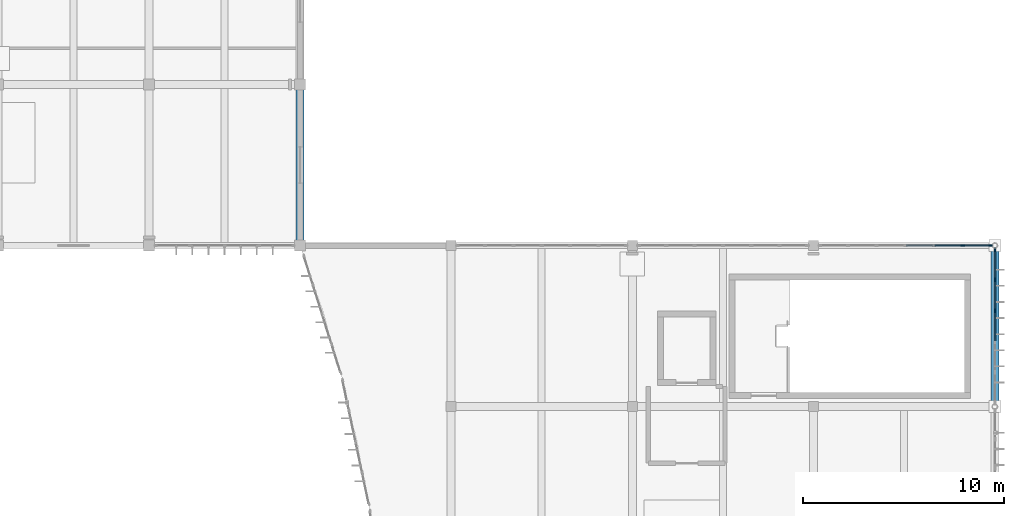
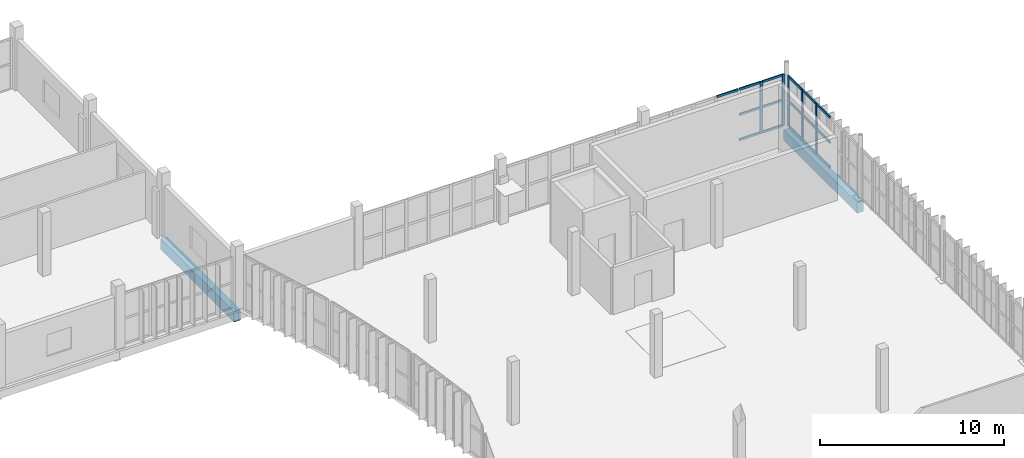
# One storey, part 30 of 61: 21 members, 2 beams, 2 elements without a shape of their own.
"""IFC4 building model written with IfcOpenShell, lengths in metres."""

from ifc_helpers import new_model, si_unit, direction, frame, origin, origin_2d, place, context, subcontext, project, spatial, rectangle, extrude, material, material_profile, profile_set, type_object, element, aggregate, save


model = new_model("IFC4")

# Units and contexts
model_context = context("Model", 3, precision=1e-05, world=origin(), true_north=direction((0.0, 1.0)))
body_context = subcontext(model_context, "Body", "Model", "MODEL_VIEW")
ifc_project = project(units=[si_unit("LENGTHUNIT", "METRE"), si_unit("AREAUNIT", "SQUARE_METRE"), si_unit("VOLUMEUNIT", "CUBIC_METRE"), si_unit("PLANEANGLEUNIT", "RADIAN"), si_unit("MASSUNIT", "GRAM", prefix="KILO")], contexts=[model_context])

# Site, building, storey
site_placement = place(None, origin())
site = spatial("IfcSite", under=ifc_project, at=site_placement, CompositionType="ELEMENT")
building_placement = place(site_placement, origin())
building = spatial("IfcBuilding", under=site, at=building_placement, Name="Vourika Railside Aquatics Centre", CompositionType="ELEMENT")
storey_placement = place(building_placement, frame((0.0, 0.0, 9.300048828125)))
storey = spatial("IfcBuildingStorey", under=building, at=storey_placement, Name="L02", CompositionType="ELEMENT", Elevation=9.300048828125)

# Beams
ifc_material_1 = material(Name="Concrete C35/45", Category="concrete")
ifc_material_profile_1 = material_profile(ifc_material_1, rectangle(XDim=0.39990234375, YDim=0.699951171875, at=origin_2d()), Name="RC 400x700")
ifc_profile_set_1 = profile_set([ifc_material_profile_1], Name="Concrete C35/45")
beam_type = type_object("IfcBeamType", Name="BM-GIRD-400x700", PredefinedType="BEAM", material=ifc_profile_set_1)
for number, where, z_axis, x_axis, name in (
    (1, (133.5, 92.0, -0.630126953125), (0.0, 1.0, 0.0), (-1.0, 0.0, 0.0), "Floor Girder GY-L02-251"),
    (2, (168.0, 84.0, -0.630126953125), (0.0, 1.0, 0.0), (-1.0, 0.0, 0.0), "Floor Girder GY-L02-286"),
):
    element("IfcBeam", number, at=place(storey_placement, frame(where, z_axis=z_axis, x_axis=x_axis)), inside=storey, type_object=beam_type, Name=name, PredefinedType="BEAM", context=body_context, shape_type="SweptSolid", body=[
        extrude(rectangle(XDim=0.39990234375, YDim=0.699951171875, at=origin_2d()), origin(), (0.0, 0.0, 1.0), 8.0),
    ])

# Curtain wall, members
ifc_material_2 = material(Name="Anodized thermally broken aluminium", Category="aluminium")
curtain_wall_type_1 = type_object("IfcCurtainWallType", Name="CW-FOYE", PredefinedType="NOTDEFINED", material=ifc_material_2)
curtain_wall_1_placement = place(storey_placement, origin())
curtain_wall_1 = element("IfcCurtainWall", 3, at=curtain_wall_1_placement, inside=storey, type_object=curtain_wall_type_1, Name="East Arrival Facade Curtain Wall L02-6", PredefinedType="NOTDEFINED")
ifc_material_3 = material(Name="Anodized aluminium mullion", Category="aluminium")
ifc_material_profile_2 = material_profile(ifc_material_3, rectangle(XDim=0.074951171875, YDim=0.199951171875, at=origin_2d()), Name="ALU-M 75x200")
ifc_profile_set_2 = profile_set([ifc_material_profile_2], Name="Anodized aluminium mullion")
member_type_1 = type_object("IfcMemberType", Name="CWM-FOYE", PredefinedType="MULLION", material=ifc_profile_set_2)
member_1_placement = place(storey_placement, frame((168.0, 88.7666015625, 0.0), z_axis=(0.0, 0.0, 1.0), x_axis=(-1.0, 0.0, 0.0)))
member_1 = element("IfcMember", 4, at=member_1_placement, type_object=member_type_1, Name="CW10 mullion 4", PredefinedType="MULLION", context=body_context, shape_type="SweptSolid", body=[
    extrude(rectangle(XDim=0.074951171875, YDim=0.199951171875, at=origin_2d()), origin(), (0.0, 0.0, 1.0), 3.369873046875),
])
member_2_placement = place(storey_placement, frame((168.0, 90.300048828125, 0.0), z_axis=(0.0, 0.0, 1.0), x_axis=(-1.0, 0.0, 0.0)))
member_2 = element("IfcMember", 5, at=member_2_placement, type_object=member_type_1, Name="CW10 mullion 5", PredefinedType="MULLION", context=body_context, shape_type="SweptSolid", body=[
    extrude(rectangle(XDim=0.074951171875, YDim=0.199951171875, at=origin_2d()), origin(), (0.0, 0.0, 1.0), 3.369873046875),
])
member_3_placement = place(storey_placement, frame((168.0, 91.7958984375, 0.0), z_axis=(0.0, 0.0, 1.0), x_axis=(-1.0, 0.0, 0.0)))
member_3 = element("IfcMember", 6, at=member_3_placement, type_object=member_type_1, Name="CW10 mullion 6", PredefinedType="MULLION", context=body_context, shape_type="SweptSolid", body=[
    extrude(rectangle(XDim=0.074951171875, YDim=0.199951171875, at=origin_2d()), origin(), (0.0, 0.0, 1.0), 3.369873046875),
])

curtain_wall_type_2 = type_object("IfcCurtainWallType", Name="CW-FOYS", PredefinedType="NOTDEFINED", material=ifc_material_2)
curtain_wall_2_placement = place(storey_placement, origin())
curtain_wall_2 = element("IfcCurtainWall", 7, at=curtain_wall_2_placement, inside=storey, type_object=curtain_wall_type_2, Name="Foyer North Glazed Facade L02-3", PredefinedType="NOTDEFINED")
ifc_material_profile_3 = material_profile(ifc_material_3, rectangle(XDim=0.072021484375, YDim=0.181884765625, at=origin_2d()), Name="ALU-M 72x182")
ifc_profile_set_3 = profile_set([ifc_material_profile_3], Name="Anodized aluminium mullion")
member_type_2 = type_object("IfcMemberType", Name="CWM-FOYS", PredefinedType="MULLION", material=ifc_profile_set_3)
member_4_placement = place(storey_placement, frame((167.797607421875, 92.0, 0.0), z_axis=(0.0, 0.0, 1.0), x_axis=(0.0, -1.0, 0.0)))
member_4 = element("IfcMember", 8, at=member_4_placement, type_object=member_type_2, Name="CW11 mullion 1", PredefinedType="MULLION", context=body_context, shape_type="SweptSolid", body=[
    extrude(rectangle(XDim=0.072021484375, YDim=0.181884765625, at=origin_2d()), origin(), (0.0, 0.0, 1.0), 3.419921875),
])
member_5_placement = place(storey_placement, frame((166.407958984375, 92.0, 0.0), z_axis=(0.0, 0.0, 1.0), x_axis=(0.0, -1.0, 0.0)))
member_5 = element("IfcMember", 9, at=member_5_placement, type_object=member_type_2, Name="CW11 mullion 2", PredefinedType="MULLION", context=body_context, shape_type="SweptSolid", body=[
    extrude(rectangle(XDim=0.072021484375, YDim=0.181884765625, at=origin_2d()), origin(), (0.0, 0.0, 1.0), 3.419921875),
])

# Member
ifc_material_4 = material(Name="Anodized aluminium transom", Category="aluminium")
ifc_material_profile_4 = material_profile(ifc_material_4, rectangle(XDim=0.074951171875, YDim=0.157958984375, at=origin_2d()), Name="ALU-T 75x158")
ifc_profile_set_4 = profile_set([ifc_material_profile_4], Name="Anodized aluminium transom")
member_type_3 = type_object("IfcMemberType", Name="CWT-FOYE", PredefinedType="USERDEFINED", material=ifc_profile_set_4)
member_6_placement = place(storey_placement, frame((168.0, 87.270751953125, 0.037353515625), z_axis=(0.0, 1.0, 0.0), x_axis=(-1.0, 0.0, 0.0)))
member_6 = element("IfcMember", 10, at=member_6_placement, type_object=member_type_3, Name="CW10 transom 3.1", ObjectType="TRANSOM", PredefinedType="USERDEFINED", context=body_context, shape_type="SweptSolid", body=[
    extrude(rectangle(XDim=0.074951171875, YDim=0.157958984375, at=origin_2d()), origin(), (0.0, 0.0, 1.0), 1.45849609375),
])

member_7_placement = place(storey_placement, frame((168.0, 87.270751953125, 1.68505859375), z_axis=(0.0, 1.0, 0.0), x_axis=(-1.0, 0.0, 0.0)))
member_7 = element("IfcMember", 11, at=member_7_placement, type_object=member_type_3, Name="CW10 transom 3.2", ObjectType="TRANSOM", PredefinedType="USERDEFINED", context=body_context, shape_type="SweptSolid", body=[
    extrude(rectangle(XDim=0.074951171875, YDim=0.157958984375, at=origin_2d()), origin(), (0.0, 0.0, 1.0), 1.45849609375),
])

member_8_placement = place(storey_placement, frame((168.0, 87.270751953125, 3.33251953125), z_axis=(0.0, 1.0, 0.0), x_axis=(-1.0, 0.0, 0.0)))
member_8 = element("IfcMember", 12, at=member_8_placement, type_object=member_type_3, Name="CW10 transom 3.3", ObjectType="TRANSOM", PredefinedType="USERDEFINED", context=body_context, shape_type="SweptSolid", body=[
    extrude(rectangle(XDim=0.074951171875, YDim=0.157958984375, at=origin_2d()), origin(), (0.0, 0.0, 1.0), 1.45849609375),
])

member_9_placement = place(storey_placement, frame((168.0, 88.80419921875, 0.037353515625), z_axis=(0.0, 1.0, 0.0), x_axis=(-1.0, 0.0, 0.0)))
member_9 = element("IfcMember", 13, at=member_9_placement, type_object=member_type_3, Name="CW10 transom 4.1", ObjectType="TRANSOM", PredefinedType="USERDEFINED", context=body_context, shape_type="SweptSolid", body=[
    extrude(rectangle(XDim=0.074951171875, YDim=0.157958984375, at=origin_2d()), origin(), (0.0, 0.0, 1.0), 1.45849609375),
])

member_10_placement = place(storey_placement, frame((168.0, 88.80419921875, 1.68505859375), z_axis=(0.0, 1.0, 0.0), x_axis=(-1.0, 0.0, 0.0)))
member_10 = element("IfcMember", 14, at=member_10_placement, type_object=member_type_3, Name="CW10 transom 4.2", ObjectType="TRANSOM", PredefinedType="USERDEFINED", context=body_context, shape_type="SweptSolid", body=[
    extrude(rectangle(XDim=0.074951171875, YDim=0.157958984375, at=origin_2d()), origin(), (0.0, 0.0, 1.0), 1.45849609375),
])

member_11_placement = place(storey_placement, frame((168.0, 88.80419921875, 3.33251953125), z_axis=(0.0, 1.0, 0.0), x_axis=(-1.0, 0.0, 0.0)))
member_11 = element("IfcMember", 15, at=member_11_placement, type_object=member_type_3, Name="CW10 transom 4.3", ObjectType="TRANSOM", PredefinedType="USERDEFINED", context=body_context, shape_type="SweptSolid", body=[
    extrude(rectangle(XDim=0.074951171875, YDim=0.157958984375, at=origin_2d()), origin(), (0.0, 0.0, 1.0), 1.45849609375),
])

member_12_placement = place(storey_placement, frame((168.0, 90.337646484375, 0.037353515625), z_axis=(0.0, 1.0, 0.0), x_axis=(-1.0, 0.0, 0.0)))
member_12 = element("IfcMember", 16, at=member_12_placement, type_object=member_type_3, Name="CW10 transom 5.1", ObjectType="TRANSOM", PredefinedType="USERDEFINED", context=body_context, shape_type="SweptSolid", body=[
    extrude(rectangle(XDim=0.074951171875, YDim=0.157958984375, at=origin_2d()), origin(), (0.0, 0.0, 1.0), 1.4208984375),
])

member_13_placement = place(storey_placement, frame((168.0, 90.337646484375, 1.68505859375), z_axis=(0.0, 1.0, 0.0), x_axis=(-1.0, 0.0, 0.0)))
member_13 = element("IfcMember", 17, at=member_13_placement, type_object=member_type_3, Name="CW10 transom 5.2", ObjectType="TRANSOM", PredefinedType="USERDEFINED", context=body_context, shape_type="SweptSolid", body=[
    extrude(rectangle(XDim=0.074951171875, YDim=0.157958984375, at=origin_2d()), origin(), (0.0, 0.0, 1.0), 1.4208984375),
])

member_14_placement = place(storey_placement, frame((168.0, 90.337646484375, 3.33251953125), z_axis=(0.0, 1.0, 0.0), x_axis=(-1.0, 0.0, 0.0)))
member_14 = element("IfcMember", 18, at=member_14_placement, type_object=member_type_3, Name="CW10 transom 5.3", ObjectType="TRANSOM", PredefinedType="USERDEFINED", context=body_context, shape_type="SweptSolid", body=[
    extrude(rectangle(XDim=0.074951171875, YDim=0.157958984375, at=origin_2d()), origin(), (0.0, 0.0, 1.0), 1.4208984375),
])

aggregate(curtain_wall_1, [member_1, member_2, member_3, member_6, member_7, member_8, member_9, member_10, member_11, member_12, member_13, member_14])

ifc_material_profile_5 = material_profile(ifc_material_4, rectangle(XDim=0.072021484375, YDim=0.14404296875, at=origin_2d()), Name="ALU-T 72x144")
ifc_profile_set_5 = profile_set([ifc_material_profile_5], Name="Anodized aluminium transom")
member_type_4 = type_object("IfcMemberType", Name="CWT-FOYS", PredefinedType="USERDEFINED", material=ifc_profile_set_5)
member_15_placement = place(storey_placement, frame((167.761474609375, 92.0, 0.035888671875), z_axis=(-1.0, 0.0, 0.0), x_axis=(0.0, -1.0, 0.0)))
member_15 = element("IfcMember", 19, at=member_15_placement, type_object=member_type_4, Name="CW11 transom 1.1", ObjectType="TRANSOM", PredefinedType="USERDEFINED", context=body_context, shape_type="SweptSolid", body=[
    extrude(rectangle(XDim=0.072021484375, YDim=0.14404296875, at=origin_2d()), origin(), (0.0, 0.0, 1.0), 1.317626953125),
])

member_16_placement = place(storey_placement, frame((167.761474609375, 92.0, 1.7099609375), z_axis=(-1.0, 0.0, 0.0), x_axis=(0.0, -1.0, 0.0)))
member_16 = element("IfcMember", 20, at=member_16_placement, type_object=member_type_4, Name="CW11 transom 1.2", ObjectType="TRANSOM", PredefinedType="USERDEFINED", context=body_context, shape_type="SweptSolid", body=[
    extrude(rectangle(XDim=0.072021484375, YDim=0.14404296875, at=origin_2d()), origin(), (0.0, 0.0, 1.0), 1.317626953125),
])

member_17_placement = place(storey_placement, frame((167.761474609375, 92.0, 3.384033203125), z_axis=(-1.0, 0.0, 0.0), x_axis=(0.0, -1.0, 0.0)))
member_17 = element("IfcMember", 21, at=member_17_placement, type_object=member_type_4, Name="CW11 transom 1.3", ObjectType="TRANSOM", PredefinedType="USERDEFINED", context=body_context, shape_type="SweptSolid", body=[
    extrude(rectangle(XDim=0.072021484375, YDim=0.14404296875, at=origin_2d()), origin(), (0.0, 0.0, 1.0), 1.317626953125),
])

member_18_placement = place(storey_placement, frame((166.371826171875, 92.0, 0.035888671875), z_axis=(-1.0, 0.0, 0.0), x_axis=(0.0, -1.0, 0.0)))
member_18 = element("IfcMember", 22, at=member_18_placement, type_object=member_type_4, Name="CW11 transom 2.1", ObjectType="TRANSOM", PredefinedType="USERDEFINED", context=body_context, shape_type="SweptSolid", body=[
    extrude(rectangle(XDim=0.072021484375, YDim=0.14404296875, at=origin_2d()), origin(), (0.0, 0.0, 1.0), 1.353515625),
])

member_19_placement = place(storey_placement, frame((166.371826171875, 92.0, 1.7099609375), z_axis=(-1.0, 0.0, 0.0), x_axis=(0.0, -1.0, 0.0)))
member_19 = element("IfcMember", 23, at=member_19_placement, type_object=member_type_4, Name="CW11 transom 2.2", ObjectType="TRANSOM", PredefinedType="USERDEFINED", context=body_context, shape_type="SweptSolid", body=[
    extrude(rectangle(XDim=0.072021484375, YDim=0.14404296875, at=origin_2d()), origin(), (0.0, 0.0, 1.0), 1.353515625),
])

member_20_placement = place(storey_placement, frame((166.371826171875, 92.0, 3.384033203125), z_axis=(-1.0, 0.0, 0.0), x_axis=(0.0, -1.0, 0.0)))
member_20 = element("IfcMember", 24, at=member_20_placement, type_object=member_type_4, Name="CW11 transom 2.3", ObjectType="TRANSOM", PredefinedType="USERDEFINED", context=body_context, shape_type="SweptSolid", body=[
    extrude(rectangle(XDim=0.072021484375, YDim=0.14404296875, at=origin_2d()), origin(), (0.0, 0.0, 1.0), 1.353515625),
])

member_21_placement = place(storey_placement, frame((164.9462890625, 92.0, 3.384033203125), z_axis=(-1.0, 0.0, 0.0), x_axis=(0.0, -1.0, 0.0)))
member_21 = element("IfcMember", 25, at=member_21_placement, type_object=member_type_4, Name="CW11 transom 3.3", ObjectType="TRANSOM", PredefinedType="USERDEFINED", context=body_context, shape_type="SweptSolid", body=[
    extrude(rectangle(XDim=0.072021484375, YDim=0.14404296875, at=origin_2d()), origin(), (0.0, 0.0, 1.0), 1.353515625),
])

aggregate(curtain_wall_2, [member_4, member_5, member_15, member_16, member_17, member_18, member_19, member_20, member_21])

save(model, "model.ifc")
